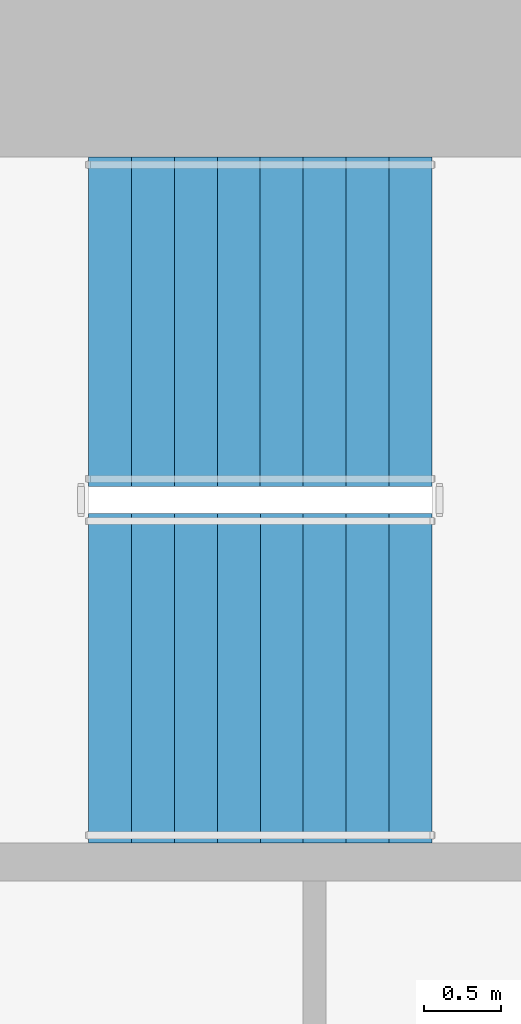
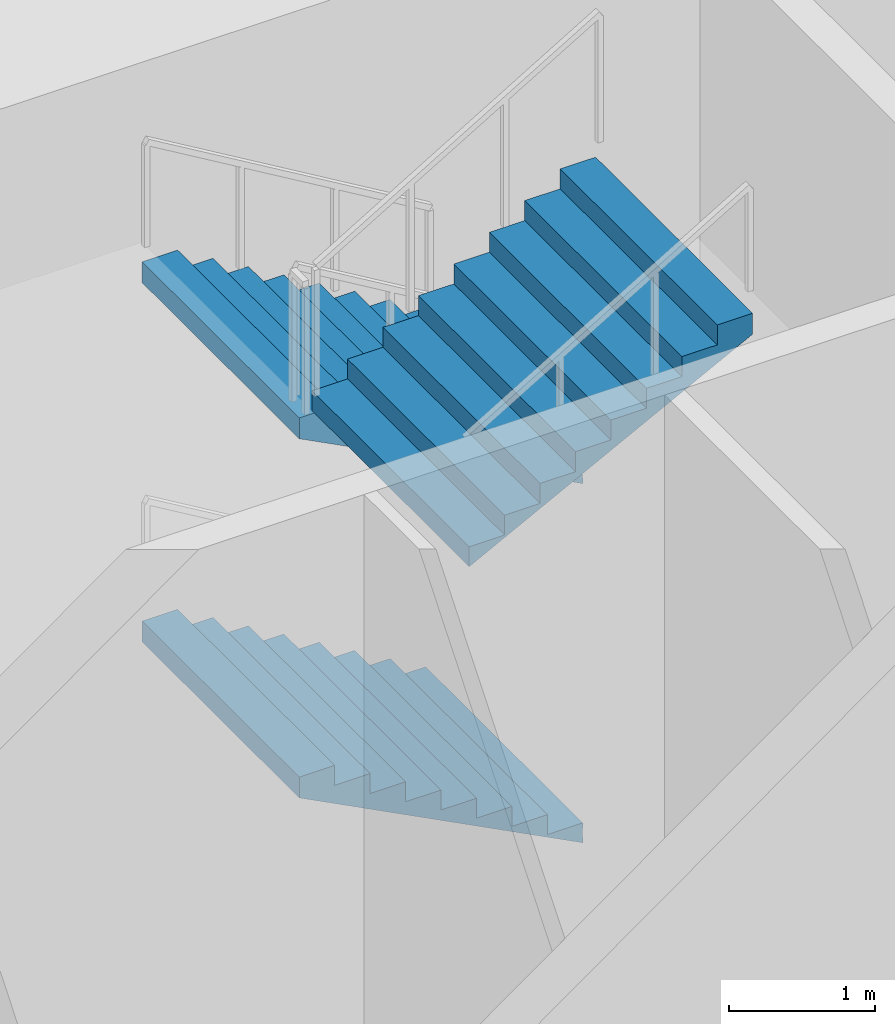
# One storey, part 13 of 19: 3 stair flights, 1 element without a shape of its own.
"""IFC4 building model written with IfcOpenShell, lengths in metres."""

from ifc_helpers import new_model, si_unit, direction, frame, origin, place, context, subcontext, project, spatial, triangles, material, type_object, element, aggregate, save


model = new_model("IFC4")

# Units and contexts
model_context = context("Model", 3, precision=1e-05, world=origin(), true_north=direction((0.0, 1.0)))
body_context = subcontext(model_context, "Body", "Model", "MODEL_VIEW")
ifc_project = project(units=[si_unit("LENGTHUNIT", "METRE"), si_unit("AREAUNIT", "SQUARE_METRE"), si_unit("VOLUMEUNIT", "CUBIC_METRE"), si_unit("PLANEANGLEUNIT", "RADIAN"), si_unit("MASSUNIT", "GRAM", prefix="KILO")], contexts=[model_context])

# Site, building, storey
site_placement = place(None, origin())
site = spatial("IfcSite", under=ifc_project, at=site_placement, CompositionType="ELEMENT")
building_placement = place(site_placement, origin())
building = spatial("IfcBuilding", under=site, at=building_placement, Name="Cypress Arch Tower", CompositionType="ELEMENT")
storey_placement = place(building_placement, frame((0.0, 0.0, 44.0)))
storey = spatial("IfcBuildingStorey", under=building, at=storey_placement, Name="L05", CompositionType="ELEMENT", Elevation=44.0)

# Stair, stair flights
ifc_material_1 = material(Name="Concrete C40/50", Category="concrete")
stair_type = type_object("IfcStairType", Name="Exit stair ES1667-215", PredefinedType="HALF_TURN_STAIR", material=ifc_material_1)
stair_placement = place(storey_placement, origin())
stair = element("IfcStair", 1, at=stair_placement, inside=storey, type_object=stair_type, Name="L05 Exit stair B", PredefinedType="HALF_TURN_STAIR")
ifc_material_2 = material(Name="Concrete C40/50", Category="concrete")
stair_flight_type = type_object("IfcStairFlightType", Name="Exit stair flight ES1667-215", PredefinedType="STRAIGHT", material=ifc_material_2)
stair_flight_1_placement = place(storey_placement, frame((-22.27490234375, 13.72509765625, 0.0), z_axis=(0.0, 0.0, 1.0), x_axis=(-1.0, 0.0, 0.0)))
stair_flight_1 = element("IfcStairFlight", 2, at=stair_flight_1_placement, type_object=stair_flight_type, Name="B flight 1", NumberOfRisers=9, NumberOfTreads=8, PredefinedType="STRAIGHT", RiserHeight=0.166666667, TreadLength=0.28, context=body_context, shape_type="Tessellation", body=[
    triangles([(0.0, -1.074951171875, 0.0), (0.000244140625, -1.074951171875, 0.0185546875), (0.000244140625, -1.074951171875, 0.037109375), (0.00048828125, -1.074951171875, 0.0556640625), (0.00048828125, -1.074951171875, 0.07421875), (0.00048828125, -1.074951171875, 0.092529296875), (0.00048828125, -1.074951171875, 0.111083984375), (0.000244140625, -1.074951171875, 0.129638671875), (0.000244140625, -1.074951171875, 0.148193359375), (0.0, -1.074951171875, 0.166748046875), (0.280029296875, -1.074951171875, 0.166748046875), (0.280029296875, -1.074951171875, 0.333251953125), (0.56005859375, -1.074951171875, 0.333251953125), (0.56005859375, -1.074951171875, 0.5), (0.840087890625, -1.074951171875, 0.5), (0.840087890625, -1.074951171875, 0.666748046875), (1.1201171875, -1.074951171875, 0.666748046875), (1.1201171875, -1.074951171875, 0.833251953125), (1.39990234375, -1.074951171875, 0.833251953125), (1.39990234375, -1.074951171875, 1.0), (1.679931640625, -1.074951171875, 1.0), (1.679931640625, -1.074951171875, 1.166748046875), (1.9599609375, -1.074951171875, 1.166748046875), (1.9599609375, -1.074951171875, 1.333251953125), (2.239990234375, -1.074951171875, 1.333251953125), (2.23974609375, -1.074951171875, 1.31396484375), (2.23974609375, -1.074951171875, 1.29443359375), (2.239501953125, -1.074951171875, 1.275146484375), (2.239501953125, -1.074951171875, 1.255859375), (2.239501953125, -1.074951171875, 1.236328125), (2.239501953125, -1.074951171875, 1.217041015625), (2.23974609375, -1.074951171875, 1.19775390625), (2.23974609375, -1.074951171875, 1.17822265625), (2.239990234375, -1.074951171875, 1.158935546875), (2.239990234375, 1.074951171875, 1.158935546875), (2.23974609375, 1.074951171875, 1.17822265625), (2.23974609375, 1.074951171875, 1.19775390625), (2.239501953125, 1.074951171875, 1.217041015625), (2.239501953125, 1.074951171875, 1.236328125), (2.239501953125, 1.074951171875, 1.255859375), (2.239501953125, 1.074951171875, 1.275146484375), (2.23974609375, 1.074951171875, 1.29443359375), (2.23974609375, 1.074951171875, 1.31396484375), (2.239990234375, 1.074951171875, 1.333251953125), (1.9599609375, 1.074951171875, 1.333251953125), (1.9599609375, 1.074951171875, 1.166748046875), (1.679931640625, 1.074951171875, 1.166748046875), (1.679931640625, 1.074951171875, 1.0), (1.39990234375, 1.074951171875, 1.0), (1.39990234375, 1.074951171875, 0.833251953125), (1.1201171875, 1.074951171875, 0.833251953125), (1.1201171875, 1.074951171875, 0.666748046875), (0.840087890625, 1.074951171875, 0.666748046875), (0.840087890625, 1.074951171875, 0.5), (0.56005859375, 1.074951171875, 0.5), (0.56005859375, 1.074951171875, 0.333251953125), (0.280029296875, 1.074951171875, 0.333251953125), (0.280029296875, 1.074951171875, 0.166748046875), (0.0, 1.074951171875, 0.166748046875), (0.000244140625, 1.074951171875, 0.148193359375), (0.000244140625, 1.074951171875, 0.129638671875), (0.00048828125, 1.074951171875, 0.111083984375), (0.00048828125, 1.074951171875, 0.092529296875), (0.00048828125, 1.074951171875, 0.07421875), (0.00048828125, 1.074951171875, 0.0556640625), (0.000244140625, 1.074951171875, 0.037109375), (0.000244140625, 1.074951171875, 0.0185546875), (0.0, 1.074951171875, 0.0), (2.23974609375, -0.3583984375, 1.17822265625), (2.239990234375, -0.3583984375, 1.158935546875), (2.23974609375, 0.3583984375, 1.17822265625), (2.239990234375, 0.3583984375, 1.158935546875), (2.23974609375, -0.3583984375, 1.19775390625), (2.23974609375, 0.3583984375, 1.19775390625), (2.239501953125, -0.3583984375, 1.217041015625), (2.239501953125, 0.3583984375, 1.217041015625), (2.239501953125, -0.3583984375, 1.236328125), (2.239501953125, 0.3583984375, 1.236328125), (2.239501953125, -0.3583984375, 1.255859375), (2.239501953125, 0.3583984375, 1.255859375), (2.239501953125, -0.3583984375, 1.275146484375), (2.239501953125, 0.3583984375, 1.275146484375), (2.23974609375, -0.3583984375, 1.29443359375), (2.23974609375, 0.3583984375, 1.29443359375), (2.23974609375, -0.3583984375, 1.31396484375), (2.23974609375, 0.3583984375, 1.31396484375), (2.239990234375, -0.3583984375, 1.333251953125), (2.239990234375, 0.3583984375, 1.333251953125), (1.9599609375, -0.3583984375, 1.333251953125), (1.9599609375, 0.3583984375, 1.333251953125), (1.9599609375, -0.3583984375, 1.166748046875), (1.9599609375, 0.3583984375, 1.166748046875), (1.679931640625, -0.3583984375, 1.166748046875), (1.679931640625, 0.3583984375, 1.166748046875), (1.679931640625, -0.3583984375, 1.0), (1.679931640625, 0.3583984375, 1.0), (1.39990234375, -0.3583984375, 1.0), (1.39990234375, 0.3583984375, 1.0), (1.39990234375, -0.3583984375, 0.833251953125), (1.39990234375, 0.3583984375, 0.833251953125), (1.1201171875, -0.3583984375, 0.833251953125), (1.1201171875, 0.3583984375, 0.833251953125), (1.1201171875, -0.3583984375, 0.666748046875), (1.1201171875, 0.3583984375, 0.666748046875), (0.840087890625, -0.3583984375, 0.666748046875), (0.840087890625, 0.3583984375, 0.666748046875), (0.840087890625, -0.3583984375, 0.5), (0.840087890625, 0.3583984375, 0.5), (0.56005859375, -0.3583984375, 0.5), (0.56005859375, 0.3583984375, 0.5), (0.56005859375, -0.3583984375, 0.333251953125), (0.56005859375, 0.3583984375, 0.333251953125), (0.280029296875, -0.3583984375, 0.333251953125), (0.280029296875, 0.3583984375, 0.333251953125), (0.280029296875, -0.3583984375, 0.166748046875), (0.280029296875, 0.3583984375, 0.166748046875), (0.0, -0.3583984375, 0.166748046875), (0.0, 0.3583984375, 0.166748046875), (0.000244140625, -0.3583984375, 0.148193359375), (0.000244140625, 0.3583984375, 0.148193359375), (0.000244140625, -0.3583984375, 0.129638671875), (0.000244140625, 0.3583984375, 0.129638671875), (0.00048828125, -0.3583984375, 0.111083984375), (0.00048828125, 0.3583984375, 0.111083984375), (0.00048828125, -0.3583984375, 0.092529296875), (0.00048828125, 0.3583984375, 0.092529296875), (0.00048828125, -0.3583984375, 0.07421875), (0.00048828125, 0.3583984375, 0.07421875), (0.00048828125, -0.3583984375, 0.0556640625), (0.00048828125, 0.3583984375, 0.0556640625), (0.000244140625, -0.3583984375, 0.037109375), (0.000244140625, 0.3583984375, 0.037109375), (0.000244140625, -0.3583984375, 0.0185546875), (0.000244140625, 0.3583984375, 0.0185546875), (0.0, -0.3583984375, 0.0), (0.0, 0.3583984375, 0.0)], [[34, 33, 24], [33, 32, 24], [32, 31, 24], [31, 30, 24], [30, 29, 24], [29, 28, 24], [28, 27, 24], [27, 26, 24], [26, 25, 24], [23, 22, 21], [21, 20, 19], [17, 16, 15], [15, 14, 13], [10, 9, 11], [9, 8, 11], [8, 7, 11], [7, 6, 11], [6, 5, 11], [5, 4, 11], [4, 3, 11], [3, 2, 11], [2, 1, 11], [19, 18, 17], [13, 12, 11], [34, 24, 23], [34, 23, 21], [34, 21, 19], [34, 19, 17], [34, 17, 15], [34, 15, 13], [1, 34, 13], [13, 11, 1], [35, 45, 36], [36, 45, 37], [37, 45, 38], [38, 45, 39], [39, 45, 40], [40, 45, 41], [41, 45, 42], [42, 45, 43], [43, 45, 44], [46, 48, 47], [48, 50, 49], [52, 54, 53], [54, 56, 55], [59, 58, 60], [60, 58, 61], [61, 58, 62], [62, 58, 63], [63, 58, 64], [64, 58, 65], [65, 58, 66], [66, 58, 67], [67, 58, 68], [50, 52, 51], [56, 58, 57], [35, 46, 45], [35, 48, 46], [35, 50, 48], [35, 52, 50], [35, 54, 52], [35, 56, 54], [68, 56, 35], [56, 68, 58], [70, 69, 33], [70, 33, 34], [72, 71, 69], [72, 69, 70], [35, 36, 71], [35, 71, 72], [69, 73, 32], [69, 32, 33], [71, 74, 73], [71, 73, 69], [36, 37, 74], [36, 74, 71], [73, 75, 31], [73, 31, 32], [74, 76, 75], [74, 75, 73], [37, 38, 76], [37, 76, 74], [75, 77, 30], [75, 30, 31], [76, 78, 77], [76, 77, 75], [38, 39, 78], [38, 78, 76], [77, 79, 29], [77, 29, 30], [78, 80, 79], [78, 79, 77], [39, 40, 80], [39, 80, 78], [79, 81, 28], [79, 28, 29], [80, 82, 81], [80, 81, 79], [40, 41, 82], [40, 82, 80], [81, 83, 27], [81, 27, 28], [82, 84, 83], [82, 83, 81], [41, 42, 84], [41, 84, 82], [83, 85, 26], [83, 26, 27], [84, 86, 85], [84, 85, 83], [42, 43, 86], [42, 86, 84], [85, 87, 25], [85, 25, 26], [86, 88, 87], [86, 87, 85], [43, 44, 88], [43, 88, 86], [87, 89, 24], [87, 24, 25], [88, 90, 89], [88, 89, 87], [44, 45, 90], [44, 90, 88], [89, 91, 23], [89, 23, 24], [90, 92, 91], [90, 91, 89], [45, 46, 92], [45, 92, 90], [91, 93, 22], [91, 22, 23], [92, 94, 93], [92, 93, 91], [46, 47, 94], [46, 94, 92], [93, 95, 21], [93, 21, 22], [94, 96, 95], [94, 95, 93], [47, 48, 96], [47, 96, 94], [95, 97, 20], [95, 20, 21], [96, 98, 97], [96, 97, 95], [48, 49, 98], [48, 98, 96], [97, 99, 19], [97, 19, 20], [98, 100, 99], [98, 99, 97], [49, 50, 100], [49, 100, 98], [99, 101, 18], [99, 18, 19], [100, 102, 101], [100, 101, 99], [50, 51, 102], [50, 102, 100], [101, 103, 17], [101, 17, 18], [102, 104, 103], [102, 103, 101], [51, 52, 104], [51, 104, 102], [103, 105, 16], [103, 16, 17], [104, 106, 105], [104, 105, 103], [52, 53, 106], [52, 106, 104], [105, 107, 15], [105, 15, 16], [106, 108, 107], [106, 107, 105], [53, 54, 108], [53, 108, 106], [107, 109, 14], [107, 14, 15], [108, 110, 109], [108, 109, 107], [54, 55, 110], [54, 110, 108], [109, 111, 13], [109, 13, 14], [110, 112, 111], [110, 111, 109], [55, 56, 112], [55, 112, 110], [111, 113, 12], [111, 12, 13], [112, 114, 113], [112, 113, 111], [56, 57, 114], [56, 114, 112], [113, 115, 11], [113, 11, 12], [114, 116, 115], [114, 115, 113], [57, 58, 116], [57, 116, 114], [115, 117, 10], [115, 10, 11], [116, 118, 117], [116, 117, 115], [58, 59, 118], [58, 118, 116], [117, 119, 9], [117, 9, 10], [118, 120, 119], [118, 119, 117], [59, 60, 120], [59, 120, 118], [119, 121, 8], [119, 8, 9], [120, 122, 121], [120, 121, 119], [60, 61, 122], [60, 122, 120], [121, 123, 7], [121, 7, 8], [122, 124, 123], [122, 123, 121], [61, 62, 124], [61, 124, 122], [123, 125, 6], [123, 6, 7], [124, 126, 125], [124, 125, 123], [62, 63, 126], [62, 126, 124], [125, 127, 5], [125, 5, 6], [126, 128, 127], [126, 127, 125], [63, 64, 128], [63, 128, 126], [127, 129, 4], [127, 4, 5], [128, 130, 129], [128, 129, 127], [64, 65, 130], [64, 130, 128], [129, 131, 3], [129, 3, 4], [130, 132, 131], [130, 131, 129], [65, 66, 132], [65, 132, 130], [131, 133, 2], [131, 2, 3], [132, 134, 133], [132, 133, 131], [66, 67, 134], [66, 134, 132], [133, 135, 1], [133, 1, 2], [134, 136, 135], [134, 135, 133], [67, 68, 136], [67, 136, 134], [135, 70, 34], [135, 34, 1], [136, 72, 70], [136, 70, 135], [68, 35, 72], [68, 72, 136]], closed=True),
])
stair_flight_2_placement = place(storey_placement, frame((-22.27490234375, 13.72509765625, 3.0), z_axis=(0.0, 0.0, 1.0), x_axis=(-1.0, 0.0, 0.0)))
stair_flight_2 = element("IfcStairFlight", 3, at=stair_flight_2_placement, type_object=stair_flight_type, Name="B flight 3", NumberOfRisers=9, NumberOfTreads=8, PredefinedType="STRAIGHT", RiserHeight=0.166666667, TreadLength=0.28, context=body_context, shape_type="Tessellation", body=[
    triangles([(0.0, -1.074951171875, 0.0), (0.000244140625, -1.074951171875, 0.0185546875), (0.000244140625, -1.074951171875, 0.037109375), (0.00048828125, -1.074951171875, 0.0556640625), (0.00048828125, -1.074951171875, 0.07421875), (0.00048828125, -1.074951171875, 0.092529296875), (0.00048828125, -1.074951171875, 0.111083984375), (0.000244140625, -1.074951171875, 0.129638671875), (0.000244140625, -1.074951171875, 0.148193359375), (0.0, -1.074951171875, 0.166748046875), (0.280029296875, -1.074951171875, 0.166748046875), (0.280029296875, -1.074951171875, 0.333251953125), (0.56005859375, -1.074951171875, 0.333251953125), (0.56005859375, -1.074951171875, 0.5), (0.840087890625, -1.074951171875, 0.5), (0.840087890625, -1.074951171875, 0.666748046875), (1.1201171875, -1.074951171875, 0.666748046875), (1.1201171875, -1.074951171875, 0.833251953125), (1.39990234375, -1.074951171875, 0.833251953125), (1.39990234375, -1.074951171875, 1.0), (1.679931640625, -1.074951171875, 1.0), (1.679931640625, -1.074951171875, 1.166748046875), (1.9599609375, -1.074951171875, 1.166748046875), (1.9599609375, -1.074951171875, 1.333251953125), (2.239990234375, -1.074951171875, 1.333251953125), (2.23974609375, -1.074951171875, 1.31396484375), (2.23974609375, -1.074951171875, 1.29443359375), (2.239501953125, -1.074951171875, 1.275146484375), (2.239501953125, -1.074951171875, 1.255859375), (2.239501953125, -1.074951171875, 1.236328125), (2.239501953125, -1.074951171875, 1.217041015625), (2.23974609375, -1.074951171875, 1.19775390625), (2.23974609375, -1.074951171875, 1.17822265625), (2.239990234375, -1.074951171875, 1.158935546875), (2.239990234375, 1.074951171875, 1.158935546875), (2.23974609375, 1.074951171875, 1.17822265625), (2.23974609375, 1.074951171875, 1.19775390625), (2.239501953125, 1.074951171875, 1.217041015625), (2.239501953125, 1.074951171875, 1.236328125), (2.239501953125, 1.074951171875, 1.255859375), (2.239501953125, 1.074951171875, 1.275146484375), (2.23974609375, 1.074951171875, 1.29443359375), (2.23974609375, 1.074951171875, 1.31396484375), (2.239990234375, 1.074951171875, 1.333251953125), (1.9599609375, 1.074951171875, 1.333251953125), (1.9599609375, 1.074951171875, 1.166748046875), (1.679931640625, 1.074951171875, 1.166748046875), (1.679931640625, 1.074951171875, 1.0), (1.39990234375, 1.074951171875, 1.0), (1.39990234375, 1.074951171875, 0.833251953125), (1.1201171875, 1.074951171875, 0.833251953125), (1.1201171875, 1.074951171875, 0.666748046875), (0.840087890625, 1.074951171875, 0.666748046875), (0.840087890625, 1.074951171875, 0.5), (0.56005859375, 1.074951171875, 0.5), (0.56005859375, 1.074951171875, 0.333251953125), (0.280029296875, 1.074951171875, 0.333251953125), (0.280029296875, 1.074951171875, 0.166748046875), (0.0, 1.074951171875, 0.166748046875), (0.000244140625, 1.074951171875, 0.148193359375), (0.000244140625, 1.074951171875, 0.129638671875), (0.00048828125, 1.074951171875, 0.111083984375), (0.00048828125, 1.074951171875, 0.092529296875), (0.00048828125, 1.074951171875, 0.07421875), (0.00048828125, 1.074951171875, 0.0556640625), (0.000244140625, 1.074951171875, 0.037109375), (0.000244140625, 1.074951171875, 0.0185546875), (0.0, 1.074951171875, 0.0), (2.23974609375, -0.3583984375, 1.17822265625), (2.239990234375, -0.3583984375, 1.158935546875), (2.23974609375, 0.3583984375, 1.17822265625), (2.239990234375, 0.3583984375, 1.158935546875), (2.23974609375, -0.3583984375, 1.19775390625), (2.23974609375, 0.3583984375, 1.19775390625), (2.239501953125, -0.3583984375, 1.217041015625), (2.239501953125, 0.3583984375, 1.217041015625), (2.239501953125, -0.3583984375, 1.236328125), (2.239501953125, 0.3583984375, 1.236328125), (2.239501953125, -0.3583984375, 1.255859375), (2.239501953125, 0.3583984375, 1.255859375), (2.239501953125, -0.3583984375, 1.275146484375), (2.239501953125, 0.3583984375, 1.275146484375), (2.23974609375, -0.3583984375, 1.29443359375), (2.23974609375, 0.3583984375, 1.29443359375), (2.23974609375, -0.3583984375, 1.31396484375), (2.23974609375, 0.3583984375, 1.31396484375), (2.239990234375, -0.3583984375, 1.333251953125), (2.239990234375, 0.3583984375, 1.333251953125), (1.9599609375, -0.3583984375, 1.333251953125), (1.9599609375, 0.3583984375, 1.333251953125), (1.9599609375, -0.3583984375, 1.166748046875), (1.9599609375, 0.3583984375, 1.166748046875), (1.679931640625, -0.3583984375, 1.166748046875), (1.679931640625, 0.3583984375, 1.166748046875), (1.679931640625, -0.3583984375, 1.0), (1.679931640625, 0.3583984375, 1.0), (1.39990234375, -0.3583984375, 1.0), (1.39990234375, 0.3583984375, 1.0), (1.39990234375, -0.3583984375, 0.833251953125), (1.39990234375, 0.3583984375, 0.833251953125), (1.1201171875, -0.3583984375, 0.833251953125), (1.1201171875, 0.3583984375, 0.833251953125), (1.1201171875, -0.3583984375, 0.666748046875), (1.1201171875, 0.3583984375, 0.666748046875), (0.840087890625, -0.3583984375, 0.666748046875), (0.840087890625, 0.3583984375, 0.666748046875), (0.840087890625, -0.3583984375, 0.5), (0.840087890625, 0.3583984375, 0.5), (0.56005859375, -0.3583984375, 0.5), (0.56005859375, 0.3583984375, 0.5), (0.56005859375, -0.3583984375, 0.333251953125), (0.56005859375, 0.3583984375, 0.333251953125), (0.280029296875, -0.3583984375, 0.333251953125), (0.280029296875, 0.3583984375, 0.333251953125), (0.280029296875, -0.3583984375, 0.166748046875), (0.280029296875, 0.3583984375, 0.166748046875), (0.0, -0.3583984375, 0.166748046875), (0.0, 0.3583984375, 0.166748046875), (0.000244140625, -0.3583984375, 0.148193359375), (0.000244140625, 0.3583984375, 0.148193359375), (0.000244140625, -0.3583984375, 0.129638671875), (0.000244140625, 0.3583984375, 0.129638671875), (0.00048828125, -0.3583984375, 0.111083984375), (0.00048828125, 0.3583984375, 0.111083984375), (0.00048828125, -0.3583984375, 0.092529296875), (0.00048828125, 0.3583984375, 0.092529296875), (0.00048828125, -0.3583984375, 0.07421875), (0.00048828125, 0.3583984375, 0.07421875), (0.00048828125, -0.3583984375, 0.0556640625), (0.00048828125, 0.3583984375, 0.0556640625), (0.000244140625, -0.3583984375, 0.037109375), (0.000244140625, 0.3583984375, 0.037109375), (0.000244140625, -0.3583984375, 0.0185546875), (0.000244140625, 0.3583984375, 0.0185546875), (0.0, -0.3583984375, 0.0), (0.0, 0.3583984375, 0.0)], [[34, 33, 24], [33, 32, 24], [32, 31, 24], [31, 30, 24], [30, 29, 24], [29, 28, 24], [28, 27, 24], [27, 26, 24], [26, 25, 24], [23, 22, 21], [21, 20, 19], [17, 16, 15], [15, 14, 13], [10, 9, 11], [9, 8, 11], [8, 7, 11], [7, 6, 11], [6, 5, 11], [5, 4, 11], [4, 3, 11], [3, 2, 11], [2, 1, 11], [19, 18, 17], [13, 12, 11], [34, 24, 23], [34, 23, 21], [34, 21, 19], [34, 19, 17], [34, 17, 15], [34, 15, 13], [1, 34, 13], [13, 11, 1], [35, 45, 36], [36, 45, 37], [37, 45, 38], [38, 45, 39], [39, 45, 40], [40, 45, 41], [41, 45, 42], [42, 45, 43], [43, 45, 44], [46, 48, 47], [48, 50, 49], [52, 54, 53], [54, 56, 55], [59, 58, 60], [60, 58, 61], [61, 58, 62], [62, 58, 63], [63, 58, 64], [64, 58, 65], [65, 58, 66], [66, 58, 67], [67, 58, 68], [50, 52, 51], [56, 58, 57], [35, 46, 45], [35, 48, 46], [35, 50, 48], [35, 52, 50], [35, 54, 52], [35, 56, 54], [68, 56, 35], [56, 68, 58], [70, 69, 33], [70, 33, 34], [72, 71, 69], [72, 69, 70], [35, 36, 71], [35, 71, 72], [69, 73, 32], [69, 32, 33], [71, 74, 73], [71, 73, 69], [36, 37, 74], [36, 74, 71], [73, 75, 31], [73, 31, 32], [74, 76, 75], [74, 75, 73], [37, 38, 76], [37, 76, 74], [75, 77, 30], [75, 30, 31], [76, 78, 77], [76, 77, 75], [38, 39, 78], [38, 78, 76], [77, 79, 29], [77, 29, 30], [78, 80, 79], [78, 79, 77], [39, 40, 80], [39, 80, 78], [79, 81, 28], [79, 28, 29], [80, 82, 81], [80, 81, 79], [40, 41, 82], [40, 82, 80], [81, 83, 27], [81, 27, 28], [82, 84, 83], [82, 83, 81], [41, 42, 84], [41, 84, 82], [83, 85, 26], [83, 26, 27], [84, 86, 85], [84, 85, 83], [42, 43, 86], [42, 86, 84], [85, 87, 25], [85, 25, 26], [86, 88, 87], [86, 87, 85], [43, 44, 88], [43, 88, 86], [87, 89, 24], [87, 24, 25], [88, 90, 89], [88, 89, 87], [44, 45, 90], [44, 90, 88], [89, 91, 23], [89, 23, 24], [90, 92, 91], [90, 91, 89], [45, 46, 92], [45, 92, 90], [91, 93, 22], [91, 22, 23], [92, 94, 93], [92, 93, 91], [46, 47, 94], [46, 94, 92], [93, 95, 21], [93, 21, 22], [94, 96, 95], [94, 95, 93], [47, 48, 96], [47, 96, 94], [95, 97, 20], [95, 20, 21], [96, 98, 97], [96, 97, 95], [48, 49, 98], [48, 98, 96], [97, 99, 19], [97, 19, 20], [98, 100, 99], [98, 99, 97], [49, 50, 100], [49, 100, 98], [99, 101, 18], [99, 18, 19], [100, 102, 101], [100, 101, 99], [50, 51, 102], [50, 102, 100], [101, 103, 17], [101, 17, 18], [102, 104, 103], [102, 103, 101], [51, 52, 104], [51, 104, 102], [103, 105, 16], [103, 16, 17], [104, 106, 105], [104, 105, 103], [52, 53, 106], [52, 106, 104], [105, 107, 15], [105, 15, 16], [106, 108, 107], [106, 107, 105], [53, 54, 108], [53, 108, 106], [107, 109, 14], [107, 14, 15], [108, 110, 109], [108, 109, 107], [54, 55, 110], [54, 110, 108], [109, 111, 13], [109, 13, 14], [110, 112, 111], [110, 111, 109], [55, 56, 112], [55, 112, 110], [111, 113, 12], [111, 12, 13], [112, 114, 113], [112, 113, 111], [56, 57, 114], [56, 114, 112], [113, 115, 11], [113, 11, 12], [114, 116, 115], [114, 115, 113], [57, 58, 116], [57, 116, 114], [115, 117, 10], [115, 10, 11], [116, 118, 117], [116, 117, 115], [58, 59, 118], [58, 118, 116], [117, 119, 9], [117, 9, 10], [118, 120, 119], [118, 119, 117], [59, 60, 120], [59, 120, 118], [119, 121, 8], [119, 8, 9], [120, 122, 121], [120, 121, 119], [60, 61, 122], [60, 122, 120], [121, 123, 7], [121, 7, 8], [122, 124, 123], [122, 123, 121], [61, 62, 124], [61, 124, 122], [123, 125, 6], [123, 6, 7], [124, 126, 125], [124, 125, 123], [62, 63, 126], [62, 126, 124], [125, 127, 5], [125, 5, 6], [126, 128, 127], [126, 127, 125], [63, 64, 128], [63, 128, 126], [127, 129, 4], [127, 4, 5], [128, 130, 129], [128, 129, 127], [64, 65, 130], [64, 130, 128], [129, 131, 3], [129, 3, 4], [130, 132, 131], [130, 131, 129], [65, 66, 132], [65, 132, 130], [131, 133, 2], [131, 2, 3], [132, 134, 133], [132, 133, 131], [66, 67, 134], [66, 134, 132], [133, 135, 1], [133, 1, 2], [134, 136, 135], [134, 135, 133], [67, 68, 136], [67, 136, 134], [135, 70, 34], [135, 34, 1], [136, 72, 70], [136, 70, 135], [68, 35, 72], [68, 72, 136]], closed=True),
])
stair_flight_3_placement = place(storey_placement, frame((-24.514892578125, 11.39990234375, 4.5), z_axis=(0.0, 0.0, 1.0), x_axis=(1.0, 0.0, 0.0)))
stair_flight_3 = element("IfcStairFlight", 4, at=stair_flight_3_placement, type_object=stair_flight_type, Name="B flight 4", NumberOfRisers=9, NumberOfTreads=8, PredefinedType="STRAIGHT", RiserHeight=0.166666667, TreadLength=0.28, context=body_context, shape_type="Tessellation", body=[
    triangles([(0.0, -1.074951171875, 0.0), (0.000244140625, -1.074951171875, 0.0185546875), (0.000244140625, -1.074951171875, 0.037109375), (0.00048828125, -1.074951171875, 0.0556640625), (0.00048828125, -1.074951171875, 0.07421875), (0.00048828125, -1.074951171875, 0.092529296875), (0.00048828125, -1.074951171875, 0.111083984375), (0.000244140625, -1.074951171875, 0.129638671875), (0.000244140625, -1.074951171875, 0.148193359375), (0.0, -1.074951171875, 0.166748046875), (0.280029296875, -1.074951171875, 0.166748046875), (0.280029296875, -1.074951171875, 0.333251953125), (0.56005859375, -1.074951171875, 0.333251953125), (0.56005859375, -1.074951171875, 0.5), (0.840087890625, -1.074951171875, 0.5), (0.840087890625, -1.074951171875, 0.666748046875), (1.1201171875, -1.074951171875, 0.666748046875), (1.1201171875, -1.074951171875, 0.833251953125), (1.39990234375, -1.074951171875, 0.833251953125), (1.39990234375, -1.074951171875, 1.0), (1.679931640625, -1.074951171875, 1.0), (1.679931640625, -1.074951171875, 1.166748046875), (1.9599609375, -1.074951171875, 1.166748046875), (1.9599609375, -1.074951171875, 1.333251953125), (2.239990234375, -1.074951171875, 1.333251953125), (2.23974609375, -1.074951171875, 1.31396484375), (2.23974609375, -1.074951171875, 1.29443359375), (2.239501953125, -1.074951171875, 1.275146484375), (2.239501953125, -1.074951171875, 1.255859375), (2.239501953125, -1.074951171875, 1.236328125), (2.239501953125, -1.074951171875, 1.217041015625), (2.23974609375, -1.074951171875, 1.19775390625), (2.23974609375, -1.074951171875, 1.17822265625), (2.239990234375, -1.074951171875, 1.158935546875), (2.239990234375, 1.074951171875, 1.158935546875), (2.23974609375, 1.074951171875, 1.17822265625), (2.23974609375, 1.074951171875, 1.19775390625), (2.239501953125, 1.074951171875, 1.217041015625), (2.239501953125, 1.074951171875, 1.236328125), (2.239501953125, 1.074951171875, 1.255859375), (2.239501953125, 1.074951171875, 1.275146484375), (2.23974609375, 1.074951171875, 1.29443359375), (2.23974609375, 1.074951171875, 1.31396484375), (2.239990234375, 1.074951171875, 1.333251953125), (1.9599609375, 1.074951171875, 1.333251953125), (1.9599609375, 1.074951171875, 1.166748046875), (1.679931640625, 1.074951171875, 1.166748046875), (1.679931640625, 1.074951171875, 1.0), (1.39990234375, 1.074951171875, 1.0), (1.39990234375, 1.074951171875, 0.833251953125), (1.1201171875, 1.074951171875, 0.833251953125), (1.1201171875, 1.074951171875, 0.666748046875), (0.840087890625, 1.074951171875, 0.666748046875), (0.840087890625, 1.074951171875, 0.5), (0.56005859375, 1.074951171875, 0.5), (0.56005859375, 1.074951171875, 0.333251953125), (0.280029296875, 1.074951171875, 0.333251953125), (0.280029296875, 1.074951171875, 0.166748046875), (0.0, 1.074951171875, 0.166748046875), (0.000244140625, 1.074951171875, 0.148193359375), (0.000244140625, 1.074951171875, 0.129638671875), (0.00048828125, 1.074951171875, 0.111083984375), (0.00048828125, 1.074951171875, 0.092529296875), (0.00048828125, 1.074951171875, 0.07421875), (0.00048828125, 1.074951171875, 0.0556640625), (0.000244140625, 1.074951171875, 0.037109375), (0.000244140625, 1.074951171875, 0.0185546875), (0.0, 1.074951171875, 0.0), (2.23974609375, -0.3583984375, 1.17822265625), (2.239990234375, -0.3583984375, 1.158935546875), (2.23974609375, 0.3583984375, 1.17822265625), (2.239990234375, 0.3583984375, 1.158935546875), (2.23974609375, -0.3583984375, 1.19775390625), (2.23974609375, 0.3583984375, 1.19775390625), (2.239501953125, -0.3583984375, 1.217041015625), (2.239501953125, 0.3583984375, 1.217041015625), (2.239501953125, -0.3583984375, 1.236328125), (2.239501953125, 0.3583984375, 1.236328125), (2.239501953125, -0.3583984375, 1.255859375), (2.239501953125, 0.3583984375, 1.255859375), (2.239501953125, -0.3583984375, 1.275146484375), (2.239501953125, 0.3583984375, 1.275146484375), (2.23974609375, -0.3583984375, 1.29443359375), (2.23974609375, 0.3583984375, 1.29443359375), (2.23974609375, -0.3583984375, 1.31396484375), (2.23974609375, 0.3583984375, 1.31396484375), (2.239990234375, -0.3583984375, 1.333251953125), (2.239990234375, 0.3583984375, 1.333251953125), (1.9599609375, -0.3583984375, 1.333251953125), (1.9599609375, 0.3583984375, 1.333251953125), (1.9599609375, -0.3583984375, 1.166748046875), (1.9599609375, 0.3583984375, 1.166748046875), (1.679931640625, -0.3583984375, 1.166748046875), (1.679931640625, 0.3583984375, 1.166748046875), (1.679931640625, -0.3583984375, 1.0), (1.679931640625, 0.3583984375, 1.0), (1.39990234375, -0.3583984375, 1.0), (1.39990234375, 0.3583984375, 1.0), (1.39990234375, -0.3583984375, 0.833251953125), (1.39990234375, 0.3583984375, 0.833251953125), (1.1201171875, -0.3583984375, 0.833251953125), (1.1201171875, 0.3583984375, 0.833251953125), (1.1201171875, -0.3583984375, 0.666748046875), (1.1201171875, 0.3583984375, 0.666748046875), (0.840087890625, -0.3583984375, 0.666748046875), (0.840087890625, 0.3583984375, 0.666748046875), (0.840087890625, -0.3583984375, 0.5), (0.840087890625, 0.3583984375, 0.5), (0.56005859375, -0.3583984375, 0.5), (0.56005859375, 0.3583984375, 0.5), (0.56005859375, -0.3583984375, 0.333251953125), (0.56005859375, 0.3583984375, 0.333251953125), (0.280029296875, -0.3583984375, 0.333251953125), (0.280029296875, 0.3583984375, 0.333251953125), (0.280029296875, -0.3583984375, 0.166748046875), (0.280029296875, 0.3583984375, 0.166748046875), (0.0, -0.3583984375, 0.166748046875), (0.0, 0.3583984375, 0.166748046875), (0.000244140625, -0.3583984375, 0.148193359375), (0.000244140625, 0.3583984375, 0.148193359375), (0.000244140625, -0.3583984375, 0.129638671875), (0.000244140625, 0.3583984375, 0.129638671875), (0.00048828125, -0.3583984375, 0.111083984375), (0.00048828125, 0.3583984375, 0.111083984375), (0.00048828125, -0.3583984375, 0.092529296875), (0.00048828125, 0.3583984375, 0.092529296875), (0.00048828125, -0.3583984375, 0.07421875), (0.00048828125, 0.3583984375, 0.07421875), (0.00048828125, -0.3583984375, 0.0556640625), (0.00048828125, 0.3583984375, 0.0556640625), (0.000244140625, -0.3583984375, 0.037109375), (0.000244140625, 0.3583984375, 0.037109375), (0.000244140625, -0.3583984375, 0.0185546875), (0.000244140625, 0.3583984375, 0.0185546875), (0.0, -0.3583984375, 0.0), (0.0, 0.3583984375, 0.0)], [[34, 33, 24], [33, 32, 24], [32, 31, 24], [31, 30, 24], [30, 29, 24], [29, 28, 24], [28, 27, 24], [27, 26, 24], [26, 25, 24], [23, 22, 21], [21, 20, 19], [17, 16, 15], [15, 14, 13], [10, 9, 11], [9, 8, 11], [8, 7, 11], [7, 6, 11], [6, 5, 11], [5, 4, 11], [4, 3, 11], [3, 2, 11], [2, 1, 11], [19, 18, 17], [13, 12, 11], [34, 24, 23], [34, 23, 21], [34, 21, 19], [34, 19, 17], [34, 17, 15], [34, 15, 13], [1, 34, 13], [13, 11, 1], [35, 45, 36], [36, 45, 37], [37, 45, 38], [38, 45, 39], [39, 45, 40], [40, 45, 41], [41, 45, 42], [42, 45, 43], [43, 45, 44], [46, 48, 47], [48, 50, 49], [52, 54, 53], [54, 56, 55], [59, 58, 60], [60, 58, 61], [61, 58, 62], [62, 58, 63], [63, 58, 64], [64, 58, 65], [65, 58, 66], [66, 58, 67], [67, 58, 68], [50, 52, 51], [56, 58, 57], [35, 46, 45], [35, 48, 46], [35, 50, 48], [35, 52, 50], [35, 54, 52], [35, 56, 54], [68, 56, 35], [56, 68, 58], [70, 69, 33], [70, 33, 34], [72, 71, 69], [72, 69, 70], [35, 36, 71], [35, 71, 72], [69, 73, 32], [69, 32, 33], [71, 74, 73], [71, 73, 69], [36, 37, 74], [36, 74, 71], [73, 75, 31], [73, 31, 32], [74, 76, 75], [74, 75, 73], [37, 38, 76], [37, 76, 74], [75, 77, 30], [75, 30, 31], [76, 78, 77], [76, 77, 75], [38, 39, 78], [38, 78, 76], [77, 79, 29], [77, 29, 30], [78, 80, 79], [78, 79, 77], [39, 40, 80], [39, 80, 78], [79, 81, 28], [79, 28, 29], [80, 82, 81], [80, 81, 79], [40, 41, 82], [40, 82, 80], [81, 83, 27], [81, 27, 28], [82, 84, 83], [82, 83, 81], [41, 42, 84], [41, 84, 82], [83, 85, 26], [83, 26, 27], [84, 86, 85], [84, 85, 83], [42, 43, 86], [42, 86, 84], [85, 87, 25], [85, 25, 26], [86, 88, 87], [86, 87, 85], [43, 44, 88], [43, 88, 86], [87, 89, 24], [87, 24, 25], [88, 90, 89], [88, 89, 87], [44, 45, 90], [44, 90, 88], [89, 91, 23], [89, 23, 24], [90, 92, 91], [90, 91, 89], [45, 46, 92], [45, 92, 90], [91, 93, 22], [91, 22, 23], [92, 94, 93], [92, 93, 91], [46, 47, 94], [46, 94, 92], [93, 95, 21], [93, 21, 22], [94, 96, 95], [94, 95, 93], [47, 48, 96], [47, 96, 94], [95, 97, 20], [95, 20, 21], [96, 98, 97], [96, 97, 95], [48, 49, 98], [48, 98, 96], [97, 99, 19], [97, 19, 20], [98, 100, 99], [98, 99, 97], [49, 50, 100], [49, 100, 98], [99, 101, 18], [99, 18, 19], [100, 102, 101], [100, 101, 99], [50, 51, 102], [50, 102, 100], [101, 103, 17], [101, 17, 18], [102, 104, 103], [102, 103, 101], [51, 52, 104], [51, 104, 102], [103, 105, 16], [103, 16, 17], [104, 106, 105], [104, 105, 103], [52, 53, 106], [52, 106, 104], [105, 107, 15], [105, 15, 16], [106, 108, 107], [106, 107, 105], [53, 54, 108], [53, 108, 106], [107, 109, 14], [107, 14, 15], [108, 110, 109], [108, 109, 107], [54, 55, 110], [54, 110, 108], [109, 111, 13], [109, 13, 14], [110, 112, 111], [110, 111, 109], [55, 56, 112], [55, 112, 110], [111, 113, 12], [111, 12, 13], [112, 114, 113], [112, 113, 111], [56, 57, 114], [56, 114, 112], [113, 115, 11], [113, 11, 12], [114, 116, 115], [114, 115, 113], [57, 58, 116], [57, 116, 114], [115, 117, 10], [115, 10, 11], [116, 118, 117], [116, 117, 115], [58, 59, 118], [58, 118, 116], [117, 119, 9], [117, 9, 10], [118, 120, 119], [118, 119, 117], [59, 60, 120], [59, 120, 118], [119, 121, 8], [119, 8, 9], [120, 122, 121], [120, 121, 119], [60, 61, 122], [60, 122, 120], [121, 123, 7], [121, 7, 8], [122, 124, 123], [122, 123, 121], [61, 62, 124], [61, 124, 122], [123, 125, 6], [123, 6, 7], [124, 126, 125], [124, 125, 123], [62, 63, 126], [62, 126, 124], [125, 127, 5], [125, 5, 6], [126, 128, 127], [126, 127, 125], [63, 64, 128], [63, 128, 126], [127, 129, 4], [127, 4, 5], [128, 130, 129], [128, 129, 127], [64, 65, 130], [64, 130, 128], [129, 131, 3], [129, 3, 4], [130, 132, 131], [130, 131, 129], [65, 66, 132], [65, 132, 130], [131, 133, 2], [131, 2, 3], [132, 134, 133], [132, 133, 131], [66, 67, 134], [66, 134, 132], [133, 135, 1], [133, 1, 2], [134, 136, 135], [134, 135, 133], [67, 68, 136], [67, 136, 134], [135, 70, 34], [135, 34, 1], [136, 72, 70], [136, 70, 135], [68, 35, 72], [68, 72, 136]], closed=True),
])
aggregate(stair, [stair_flight_1, stair_flight_2, stair_flight_3])

save(model, "model.ifc")
